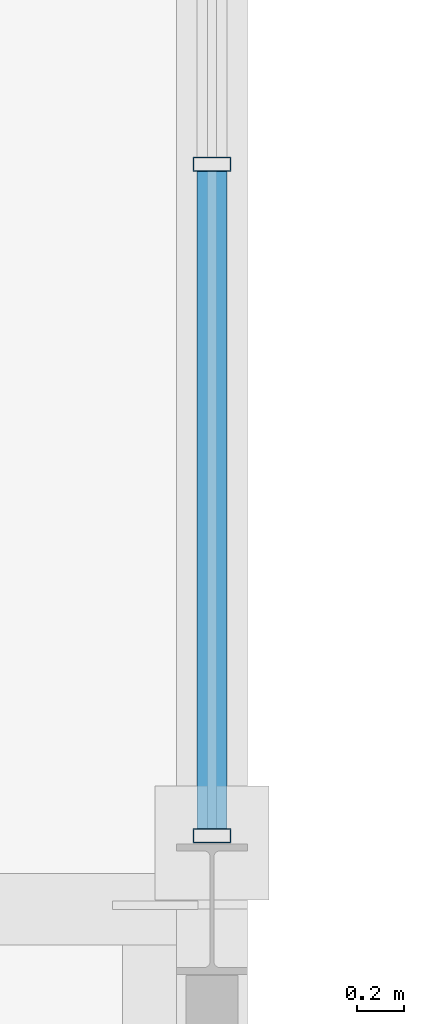
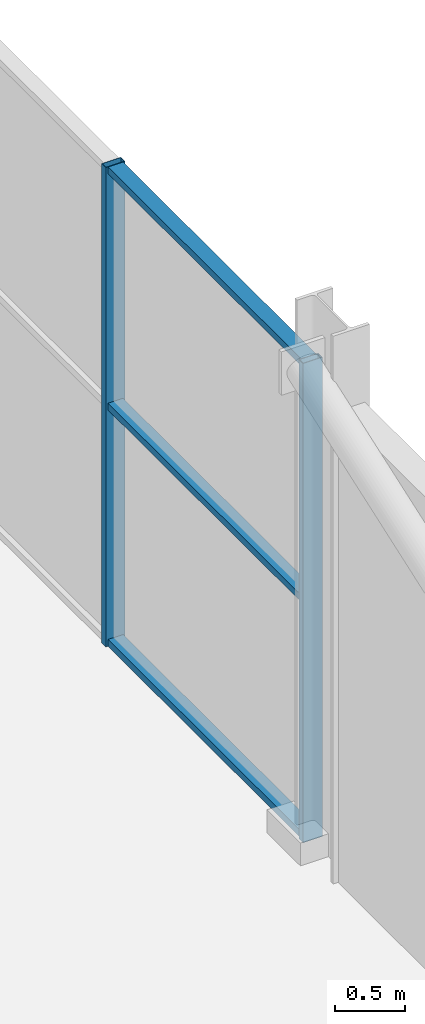
# One storey, part 40 of 159: 5 members, 1 element without a shape of its own.
"""IFC4 building model written with IfcOpenShell, lengths in metres."""

from ifc_helpers import new_model, si_unit, direction, frame, origin, origin_2d, place, context, subcontext, project, spatial, hollow_rectangle, extrude, material, material_profile, profile_set, type_object, element, aggregate, save


model = new_model("IFC4")

# Units and contexts
model_context = context("Model", 3, precision=1e-05, world=origin(), true_north=direction((0.0, 1.0)))
body_context = subcontext(model_context, "Body", "Model", "MODEL_VIEW")
ifc_project = project(units=[si_unit("LENGTHUNIT", "METRE"), si_unit("AREAUNIT", "SQUARE_METRE"), si_unit("VOLUMEUNIT", "CUBIC_METRE"), si_unit("PLANEANGLEUNIT", "RADIAN"), si_unit("MASSUNIT", "GRAM", prefix="KILO")], contexts=[model_context])

# Site, building, storey
site_placement = place(None, origin())
site = spatial("IfcSite", under=ifc_project, at=site_placement, CompositionType="ELEMENT")
building_placement = place(site_placement, origin())
building = spatial("IfcBuilding", under=site, at=building_placement, Name="Merenkruunu Market Hall", CompositionType="ELEMENT")
storey_placement = place(building_placement, frame((0.0, 0.0, 5.39990234375)))
storey = spatial("IfcBuildingStorey", under=building, at=storey_placement, Name="L01", CompositionType="ELEMENT", Elevation=5.39990234375)

# Curtain wall, members
ifc_material = material(Name="Powder-coated aluminium", Category="aluminium")
curtain_wall_type = type_object("IfcCurtainWallType", Name="Glazed Curtain Wall CW15", PredefinedType="USERDEFINED", material=ifc_material)
curtain_wall_placement = place(storey_placement, origin())
curtain_wall = element("IfcCurtainWall", 1, at=curtain_wall_placement, inside=storey, type_object=curtain_wall_type, Name="CW-L01-CWM01-128", ObjectType="GLAZED_FACADE", PredefinedType="USERDEFINED")
ifc_material_profile_1 = material_profile(ifc_material, hollow_rectangle(XDim=0.06005859375, YDim=0.159912109375, WallThickness=0.00390625, at=origin_2d()), Name="ALU 60x160x4")
ifc_profile_set_1 = profile_set([ifc_material_profile_1], Name="Powder-coated aluminium")
member_type_1 = type_object("IfcMemberType", Name="Curtain Wall Mullion CWM01", PredefinedType="MULLION", material=ifc_profile_set_1)
member_1_placement = place(storey_placement, frame((57.60009765625, 51.909912109375, 0.0), z_axis=(0.0, 0.0, 1.0), x_axis=(0.0, 1.0, 0.0)))
member_1 = element("IfcMember", 2, at=member_1_placement, type_object=member_type_1, Name="CW15 mullion 1", PredefinedType="MULLION", context=body_context, shape_type="SweptSolid", body=[
    extrude(hollow_rectangle(XDim=0.06005859375, YDim=0.159912109375, WallThickness=0.00390625, at=origin_2d()), origin(), (0.0, 0.0, 1.0), 4.2001953125),
])
member_2_placement = place(storey_placement, frame((57.60009765625, 54.739990234375, 0.0), z_axis=(0.0, 0.0, 1.0), x_axis=(0.0, 1.0, 0.0)))
member_2 = element("IfcMember", 3, at=member_2_placement, type_object=member_type_1, Name="CW15 mullion 2", PredefinedType="MULLION", context=body_context, shape_type="SweptSolid", body=[
    extrude(hollow_rectangle(XDim=0.06005859375, YDim=0.159912109375, WallThickness=0.00390625, at=origin_2d()), origin(), (0.0, 0.0, 1.0), 4.2001953125),
])
ifc_material_profile_2 = material_profile(ifc_material, hollow_rectangle(XDim=0.06005859375, YDim=0.125, WallThickness=0.00390625, at=origin_2d()), Name="ALU 60x125x4")
ifc_profile_set_2 = profile_set([ifc_material_profile_2], Name="Powder-coated aluminium")
member_type_2 = type_object("IfcMemberType", Name="Curtain Wall Transom CWT01", PredefinedType="USERDEFINED", material=ifc_profile_set_2)
member_3_placement = place(storey_placement, frame((57.60009765625, 51.93994140625, 0.030029296875), z_axis=(0.0, 1.0, 0.0), x_axis=(0.0, 0.0, 1.0)))
member_3 = element("IfcMember", 4, at=member_3_placement, type_object=member_type_2, Name="CW15 transom 1.1", ObjectType="TRANSOM", PredefinedType="USERDEFINED", context=body_context, shape_type="SweptSolid", body=[
    extrude(hollow_rectangle(XDim=0.06005859375, YDim=0.125, WallThickness=0.00390625, at=origin_2d()), origin(), (0.0, 0.0, 1.0), 2.77001953125),
])
member_4_placement = place(storey_placement, frame((57.60009765625, 51.93994140625, 2.10009765625), z_axis=(0.0, 1.0, 0.0), x_axis=(0.0, 0.0, 1.0)))
member_4 = element("IfcMember", 5, at=member_4_placement, type_object=member_type_2, Name="CW15 transom 1.2", ObjectType="TRANSOM", PredefinedType="USERDEFINED", context=body_context, shape_type="SweptSolid", body=[
    extrude(hollow_rectangle(XDim=0.06005859375, YDim=0.125, WallThickness=0.00390625, at=origin_2d()), origin(), (0.0, 0.0, 1.0), 2.77001953125),
])
member_5_placement = place(storey_placement, frame((57.60009765625, 51.93994140625, 4.170166015625), z_axis=(0.0, 1.0, 0.0), x_axis=(0.0, 0.0, 1.0)))
member_5 = element("IfcMember", 6, at=member_5_placement, type_object=member_type_2, Name="CW15 transom 1.3", ObjectType="TRANSOM", PredefinedType="USERDEFINED", context=body_context, shape_type="SweptSolid", body=[
    extrude(hollow_rectangle(XDim=0.06005859375, YDim=0.125, WallThickness=0.00390625, at=origin_2d()), origin(), (0.0, 0.0, 1.0), 2.77001953125),
])
aggregate(curtain_wall, [member_1, member_2, member_3, member_4, member_5])

save(model, "model.ifc")
